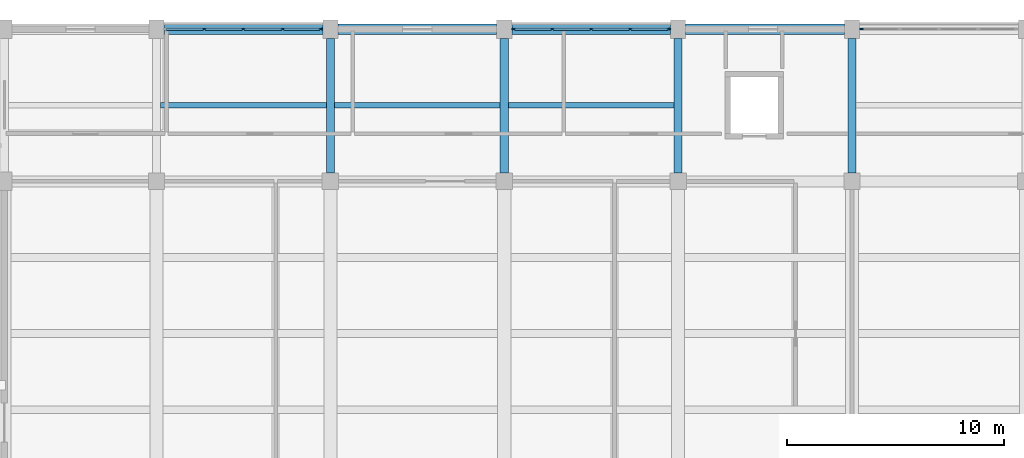
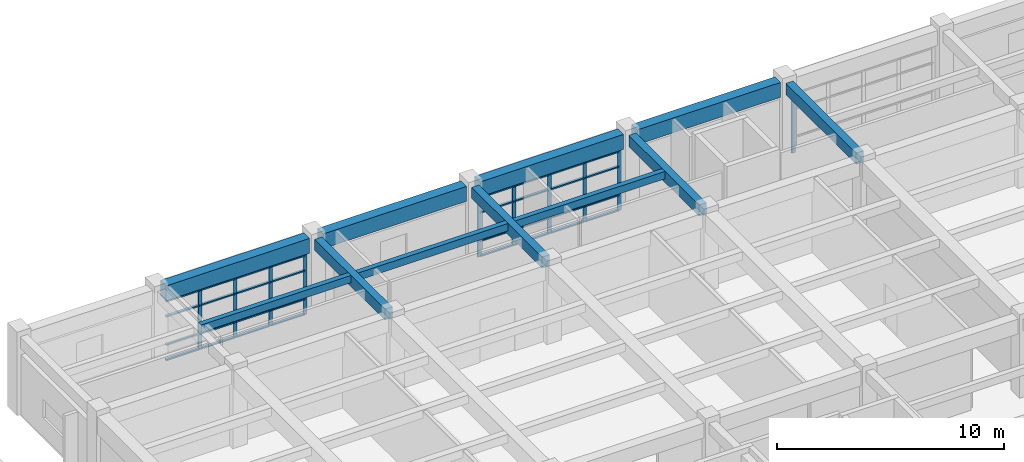
# One storey, part 31 of 72: 42 members, 11 beams, 3 elements without a shape of their own.
"""IFC4 building model written with IfcOpenShell, lengths in metres."""

from ifc_helpers import new_model, si_unit, direction, frame, origin, origin_2d, place, context, subcontext, project, spatial, rectangle, extrude, material, layer, layer_set, material_profile, profile_set, type_object, element, aggregate, save


model = new_model("IFC4")

# Units and contexts
model_context = context("Model", 3, precision=1e-05, world=origin(), true_north=direction((0.0, 1.0)))
body_context = subcontext(model_context, "Body", "Model", "MODEL_VIEW")
ifc_project = project(units=[si_unit("LENGTHUNIT", "METRE"), si_unit("AREAUNIT", "SQUARE_METRE"), si_unit("VOLUMEUNIT", "CUBIC_METRE"), si_unit("PLANEANGLEUNIT", "RADIAN"), si_unit("MASSUNIT", "GRAM", prefix="KILO")], contexts=[model_context])

# Site, building, storey
site_placement = place(None, origin())
site = spatial("IfcSite", under=ifc_project, at=site_placement, CompositionType="ELEMENT")
building_placement = place(site_placement, origin())
building = spatial("IfcBuilding", under=site, at=building_placement, Name="Naurynzar Civic Courthouse", CompositionType="ELEMENT")
storey_placement = place(building_placement, frame((0.0, 0.0, 9.89990234375)))
storey = spatial("IfcBuildingStorey", under=building, at=storey_placement, Name="L03", CompositionType="ELEMENT", Elevation=9.89990234375)

# Beams
ifc_material_1 = material(Name="Concrete C40/50", Category="concrete")
ifc_material_profile_1 = material_profile(ifc_material_1, rectangle(XDim=0.25, YDim=0.39990234375, at=origin_2d()), Name="RCB 250x400")
ifc_profile_set_1 = profile_set([ifc_material_profile_1], Name="Concrete C40/50")
beam_type_1 = type_object("IfcBeamType", Name="BM-JST-250x400", PredefinedType="JOIST", material=ifc_profile_set_1)
for number, where, z_axis, x_axis, name in (
    (1, (69.1875, 68.5, 4.0), (1.0, 0.0, 0.0), (0.0, 1.0, 0.0), "V2 secondary rib 649 L03"),
    (2, (77.1875, 68.5, 4.0), (1.0, 0.0, 0.0), (0.0, 1.0, 0.0), "V2 secondary rib 650 L03"),
    (3, (85.1875, 68.5, 4.0), (1.0, 0.0, 0.0), (0.0, 1.0, 0.0), "V2 secondary rib 651 L03"),
):
    element("IfcBeam", number, at=place(storey_placement, frame(where, z_axis=z_axis, x_axis=x_axis)), inside=storey, type_object=beam_type_1, Name=name, PredefinedType="JOIST", context=body_context, shape_type="SweptSolid", body=[
        extrude(rectangle(XDim=0.25, YDim=0.39990234375, at=origin_2d()), origin(), (0.0, 0.0, 1.0), 7.625),
    ])
ifc_material_2 = material(Name="Concrete C40/50", Category="concrete")
ifc_material_profile_2 = material_profile(ifc_material_2, rectangle(XDim=0.375, YDim=0.60009765625, at=origin_2d()), Name="RCB 375x600")
ifc_profile_set_2 = profile_set([ifc_material_profile_2], Name="Concrete C40/50")
beam_type_2 = type_object("IfcBeamType", Name="BM-RC-375x600", PredefinedType="BEAM", material=ifc_profile_set_2)
for number, where, z_axis, x_axis, name in (
    (4, (77.0, 65.375, 3.900146484375), (0.0, 1.0, 0.0), (-1.0, 0.0, 0.0), "V2 girder Y-601 L03"),
    (5, (85.0, 65.375, 3.900146484375), (0.0, 1.0, 0.0), (-1.0, 0.0, 0.0), "V2 girder Y-604 L03"),
    (6, (93.0, 65.375, 3.900146484375), (0.0, 1.0, 0.0), (-1.0, 0.0, 0.0), "V2 girder Y-607 L03"),
    (7, (101.0, 65.375, 3.900146484375), (0.0, 1.0, 0.0), (-1.0, 0.0, 0.0), "V2 girder Y-610 L03"),
):
    element("IfcBeam", number, at=place(storey_placement, frame(where, z_axis=z_axis, x_axis=x_axis)), inside=storey, type_object=beam_type_2, Name=name, PredefinedType="BEAM", context=body_context, shape_type="SweptSolid", body=[
        extrude(rectangle(XDim=0.375, YDim=0.60009765625, at=origin_2d()), origin(), (0.0, 0.0, 1.0), 6.199951171875),
    ])
ifc_material_3 = material(Name="Concrete C40/50", Category="concrete")
ifc_material_profile_3 = material_profile(ifc_material_3, rectangle(XDim=0.5, YDim=0.800048828125, at=origin_2d()), Name="RCB 500x800")
ifc_profile_set_3 = profile_set([ifc_material_profile_3], Name="Concrete C40/50")
beam_type_3 = type_object("IfcBeamType", Name="BM-RC-500x800", PredefinedType="BEAM", material=ifc_profile_set_3)
for number, where, z_axis, x_axis, name in (
    (8, (69.35009765625, 72.0, 3.800048828125), (1.0, 0.0, 0.0), (0.0, 1.0, 0.0), "V2 beam X-586 L03"),
    (9, (77.35009765625, 72.0, 3.800048828125), (1.0, 0.0, 0.0), (0.0, 1.0, 0.0), "V2 beam X-587 L03"),
    (10, (85.35009765625, 72.0, 3.800048828125), (1.0, 0.0, 0.0), (0.0, 1.0, 0.0), "V2 beam X-588 L03"),
    (11, (93.35009765625, 72.0, 3.800048828125), (1.0, 0.0, 0.0), (0.0, 1.0, 0.0), "V2 beam X-589 L03"),
):
    element("IfcBeam", number, at=place(storey_placement, frame(where, z_axis=z_axis, x_axis=x_axis)), inside=storey, type_object=beam_type_3, Name=name, PredefinedType="BEAM", context=body_context, shape_type="SweptSolid", body=[
        extrude(rectangle(XDim=0.5, YDim=0.800048828125, at=origin_2d()), origin(), (0.0, 0.0, 1.0), 7.2998046875),
    ])

# Curtain wall, members
ifc_material_4 = material(Name="Aluminium 6063-T6", Category="aluminium")
ifc_layer = layer(ifc_material_4, 0.159912109375)
ifc_layer_set = layer_set([ifc_layer], Name="CW-UNIT-1800")
curtain_wall_type = type_object("IfcCurtainWallType", Name="CW-UNIT-1800", PredefinedType="NOTDEFINED", material=ifc_layer_set)
curtain_wall_1_placement = place(storey_placement, origin())
curtain_wall_1 = element("IfcCurtainWall", 12, at=curtain_wall_1_placement, inside=storey, type_object=curtain_wall_type, Name="V2 unitised curtain wall 24 L03", PredefinedType="NOTDEFINED")
ifc_material_5 = material(Name="Aluminium 6063-T6", Category="aluminium")
ifc_material_profile_4 = material_profile(ifc_material_5, rectangle(XDim=0.070068359375, YDim=0.179931640625, at=origin_2d()), Name="ALU MULLION 70x180")
ifc_profile_set_4 = profile_set([ifc_material_profile_4], Name="Aluminium 6063-T6")
member_type_1 = type_object("IfcMemberType", Name="CWM-70x180", PredefinedType="MULLION", material=ifc_profile_set_4)
member_1_placement = place(storey_placement, frame((71.199951171875, 72.0, 0.0), z_axis=(0.0, 0.0, 1.0), x_axis=(0.0, 1.0, 0.0)))
member_1 = element("IfcMember", 13, at=member_1_placement, type_object=member_type_1, Name="CW-02 mullion 2", PredefinedType="MULLION", context=body_context, shape_type="SweptSolid", body=[
    extrude(rectangle(XDim=0.070068359375, YDim=0.179931640625, at=origin_2d()), origin(), (0.0, 0.0, 1.0), 3.22998046875),
])
member_2_placement = place(storey_placement, frame((73.0, 72.0, 0.0), z_axis=(0.0, 0.0, 1.0), x_axis=(0.0, 1.0, 0.0)))
member_2 = element("IfcMember", 14, at=member_2_placement, type_object=member_type_1, Name="CW-02 mullion 3", PredefinedType="MULLION", context=body_context, shape_type="SweptSolid", body=[
    extrude(rectangle(XDim=0.070068359375, YDim=0.179931640625, at=origin_2d()), origin(), (0.0, 0.0, 1.0), 3.22998046875),
])
member_3_placement = place(storey_placement, frame((74.800048828125, 72.0, 0.0), z_axis=(0.0, 0.0, 1.0), x_axis=(0.0, 1.0, 0.0)))
member_3 = element("IfcMember", 15, at=member_3_placement, type_object=member_type_1, Name="CW-02 mullion 4", PredefinedType="MULLION", context=body_context, shape_type="SweptSolid", body=[
    extrude(rectangle(XDim=0.070068359375, YDim=0.179931640625, at=origin_2d()), origin(), (0.0, 0.0, 1.0), 3.22998046875),
])
member_4_placement = place(storey_placement, frame((76.56494140625, 72.0, 0.0), z_axis=(0.0, 0.0, 1.0), x_axis=(0.0, 1.0, 0.0)))
member_4 = element("IfcMember", 16, at=member_4_placement, type_object=member_type_1, Name="CW-02 mullion 5", PredefinedType="MULLION", context=body_context, shape_type="SweptSolid", body=[
    extrude(rectangle(XDim=0.070068359375, YDim=0.179931640625, at=origin_2d()), origin(), (0.0, 0.0, 1.0), 3.22998046875),
])

curtain_wall_2_placement = place(storey_placement, origin())
curtain_wall_2 = element("IfcCurtainWall", 17, at=curtain_wall_2_placement, inside=storey, type_object=curtain_wall_type, Name="V2 unitised curtain wall 25 L03", PredefinedType="NOTDEFINED")
member_5_placement = place(storey_placement, frame((85.43505859375, 72.0, 0.0), z_axis=(0.0, 0.0, 1.0), x_axis=(0.0, 1.0, 0.0)))
member_5 = element("IfcMember", 18, at=member_5_placement, type_object=member_type_1, Name="CW-02 mullion 1", PredefinedType="MULLION", context=body_context, shape_type="SweptSolid", body=[
    extrude(rectangle(XDim=0.070068359375, YDim=0.179931640625, at=origin_2d()), origin(), (0.0, 0.0, 1.0), 3.22998046875),
])
member_6_placement = place(storey_placement, frame((87.199951171875, 72.0, 0.0), z_axis=(0.0, 0.0, 1.0), x_axis=(0.0, 1.0, 0.0)))
member_6 = element("IfcMember", 19, at=member_6_placement, type_object=member_type_1, Name="CW-02 mullion 2", PredefinedType="MULLION", context=body_context, shape_type="SweptSolid", body=[
    extrude(rectangle(XDim=0.070068359375, YDim=0.179931640625, at=origin_2d()), origin(), (0.0, 0.0, 1.0), 3.22998046875),
])
member_7_placement = place(storey_placement, frame((89.0, 72.0, 0.0), z_axis=(0.0, 0.0, 1.0), x_axis=(0.0, 1.0, 0.0)))
member_7 = element("IfcMember", 20, at=member_7_placement, type_object=member_type_1, Name="CW-02 mullion 3", PredefinedType="MULLION", context=body_context, shape_type="SweptSolid", body=[
    extrude(rectangle(XDim=0.070068359375, YDim=0.179931640625, at=origin_2d()), origin(), (0.0, 0.0, 1.0), 3.22998046875),
])
member_8_placement = place(storey_placement, frame((90.800048828125, 72.0, 0.0), z_axis=(0.0, 0.0, 1.0), x_axis=(0.0, 1.0, 0.0)))
member_8 = element("IfcMember", 21, at=member_8_placement, type_object=member_type_1, Name="CW-02 mullion 4", PredefinedType="MULLION", context=body_context, shape_type="SweptSolid", body=[
    extrude(rectangle(XDim=0.070068359375, YDim=0.179931640625, at=origin_2d()), origin(), (0.0, 0.0, 1.0), 3.22998046875),
])
member_9_placement = place(storey_placement, frame((92.56494140625, 72.0, 0.0), z_axis=(0.0, 0.0, 1.0), x_axis=(0.0, 1.0, 0.0)))
member_9 = element("IfcMember", 22, at=member_9_placement, type_object=member_type_1, Name="CW-02 mullion 5", PredefinedType="MULLION", context=body_context, shape_type="SweptSolid", body=[
    extrude(rectangle(XDim=0.070068359375, YDim=0.179931640625, at=origin_2d()), origin(), (0.0, 0.0, 1.0), 3.22998046875),
])

# Curtain wall, member
curtain_wall_3_placement = place(storey_placement, origin())
curtain_wall_3 = element("IfcCurtainWall", 23, at=curtain_wall_3_placement, inside=storey, type_object=curtain_wall_type, Name="V2 unitised curtain wall 26 L03", PredefinedType="NOTDEFINED")
member_10_placement = place(storey_placement, frame((101.43505859375, 72.0, 0.0), z_axis=(0.0, 0.0, 1.0), x_axis=(0.0, 1.0, 0.0)))
member_10 = element("IfcMember", 24, at=member_10_placement, type_object=member_type_1, Name="CW-02 mullion 1", PredefinedType="MULLION", context=body_context, shape_type="SweptSolid", body=[
    extrude(rectangle(XDim=0.070068359375, YDim=0.179931640625, at=origin_2d()), origin(), (0.0, 0.0, 1.0), 3.22998046875),
])
aggregate(curtain_wall_3, [member_10])

# Member
ifc_material_6 = material(Name="Aluminium 6063-T6", Category="aluminium")
ifc_material_profile_5 = material_profile(ifc_material_6, rectangle(XDim=0.1298828125, YDim=0.070068359375, at=origin_2d()), Name="ALU TRANSOM 70x130")
ifc_profile_set_5 = profile_set([ifc_material_profile_5], Name="Aluminium 6063-T6")
member_type_2 = type_object("IfcMemberType", Name="CWT-70x130", PredefinedType="USERDEFINED", material=ifc_profile_set_5)
member_11_placement = place(storey_placement, frame((69.469970703125, 72.0, 0.03515625), z_axis=(1.0, 0.0, 0.0), x_axis=(0.0, 1.0, 0.0)))
member_11 = element("IfcMember", 25, at=member_11_placement, type_object=member_type_2, Name="CW-02 transom 1.1", ObjectType="TRANSOM", PredefinedType="USERDEFINED", context=body_context, shape_type="SweptSolid", body=[
    extrude(rectangle(XDim=0.1298828125, YDim=0.070068359375, at=origin_2d()), origin(), (0.0, 0.0, 1.0), 1.695068359375),
])

member_12_placement = place(storey_placement, frame((69.469970703125, 72.0, 0.85009765625), z_axis=(1.0, 0.0, 0.0), x_axis=(0.0, 1.0, 0.0)))
member_12 = element("IfcMember", 26, at=member_12_placement, type_object=member_type_2, Name="CW-02 transom 1.2", ObjectType="TRANSOM", PredefinedType="USERDEFINED", context=body_context, shape_type="SweptSolid", body=[
    extrude(rectangle(XDim=0.1298828125, YDim=0.070068359375, at=origin_2d()), origin(), (0.0, 0.0, 1.0), 1.695068359375),
])

member_13_placement = place(storey_placement, frame((69.469970703125, 72.0, 2.380126953125), z_axis=(1.0, 0.0, 0.0), x_axis=(0.0, 1.0, 0.0)))
member_13 = element("IfcMember", 27, at=member_13_placement, type_object=member_type_2, Name="CW-02 transom 1.3", ObjectType="TRANSOM", PredefinedType="USERDEFINED", context=body_context, shape_type="SweptSolid", body=[
    extrude(rectangle(XDim=0.1298828125, YDim=0.070068359375, at=origin_2d()), origin(), (0.0, 0.0, 1.0), 1.695068359375),
])

member_14_placement = place(storey_placement, frame((69.469970703125, 72.0, 3.195068359375), z_axis=(1.0, 0.0, 0.0), x_axis=(0.0, 1.0, 0.0)))
member_14 = element("IfcMember", 28, at=member_14_placement, type_object=member_type_2, Name="CW-02 transom 1.4", ObjectType="TRANSOM", PredefinedType="USERDEFINED", context=body_context, shape_type="SweptSolid", body=[
    extrude(rectangle(XDim=0.1298828125, YDim=0.070068359375, at=origin_2d()), origin(), (0.0, 0.0, 1.0), 1.695068359375),
])

member_15_placement = place(storey_placement, frame((71.235107421875, 72.0, 0.03515625), z_axis=(1.0, 0.0, 0.0), x_axis=(0.0, 1.0, 0.0)))
member_15 = element("IfcMember", 29, at=member_15_placement, type_object=member_type_2, Name="CW-02 transom 2.1", ObjectType="TRANSOM", PredefinedType="USERDEFINED", context=body_context, shape_type="SweptSolid", body=[
    extrude(rectangle(XDim=0.1298828125, YDim=0.070068359375, at=origin_2d()), origin(), (0.0, 0.0, 1.0), 1.72998046875),
])

member_16_placement = place(storey_placement, frame((71.235107421875, 72.0, 0.85009765625), z_axis=(1.0, 0.0, 0.0), x_axis=(0.0, 1.0, 0.0)))
member_16 = element("IfcMember", 30, at=member_16_placement, type_object=member_type_2, Name="CW-02 transom 2.2", ObjectType="TRANSOM", PredefinedType="USERDEFINED", context=body_context, shape_type="SweptSolid", body=[
    extrude(rectangle(XDim=0.1298828125, YDim=0.070068359375, at=origin_2d()), origin(), (0.0, 0.0, 1.0), 1.72998046875),
])

member_17_placement = place(storey_placement, frame((71.235107421875, 72.0, 2.380126953125), z_axis=(1.0, 0.0, 0.0), x_axis=(0.0, 1.0, 0.0)))
member_17 = element("IfcMember", 31, at=member_17_placement, type_object=member_type_2, Name="CW-02 transom 2.3", ObjectType="TRANSOM", PredefinedType="USERDEFINED", context=body_context, shape_type="SweptSolid", body=[
    extrude(rectangle(XDim=0.1298828125, YDim=0.070068359375, at=origin_2d()), origin(), (0.0, 0.0, 1.0), 1.72998046875),
])

member_18_placement = place(storey_placement, frame((71.235107421875, 72.0, 3.195068359375), z_axis=(1.0, 0.0, 0.0), x_axis=(0.0, 1.0, 0.0)))
member_18 = element("IfcMember", 32, at=member_18_placement, type_object=member_type_2, Name="CW-02 transom 2.4", ObjectType="TRANSOM", PredefinedType="USERDEFINED", context=body_context, shape_type="SweptSolid", body=[
    extrude(rectangle(XDim=0.1298828125, YDim=0.070068359375, at=origin_2d()), origin(), (0.0, 0.0, 1.0), 1.72998046875),
])

member_19_placement = place(storey_placement, frame((73.034912109375, 72.0, 0.03515625), z_axis=(1.0, 0.0, 0.0), x_axis=(0.0, 1.0, 0.0)))
member_19 = element("IfcMember", 33, at=member_19_placement, type_object=member_type_2, Name="CW-02 transom 3.1", ObjectType="TRANSOM", PredefinedType="USERDEFINED", context=body_context, shape_type="SweptSolid", body=[
    extrude(rectangle(XDim=0.1298828125, YDim=0.070068359375, at=origin_2d()), origin(), (0.0, 0.0, 1.0), 1.72998046875),
])

member_20_placement = place(storey_placement, frame((73.034912109375, 72.0, 0.85009765625), z_axis=(1.0, 0.0, 0.0), x_axis=(0.0, 1.0, 0.0)))
member_20 = element("IfcMember", 34, at=member_20_placement, type_object=member_type_2, Name="CW-02 transom 3.2", ObjectType="TRANSOM", PredefinedType="USERDEFINED", context=body_context, shape_type="SweptSolid", body=[
    extrude(rectangle(XDim=0.1298828125, YDim=0.070068359375, at=origin_2d()), origin(), (0.0, 0.0, 1.0), 1.72998046875),
])

member_21_placement = place(storey_placement, frame((73.034912109375, 72.0, 2.380126953125), z_axis=(1.0, 0.0, 0.0), x_axis=(0.0, 1.0, 0.0)))
member_21 = element("IfcMember", 35, at=member_21_placement, type_object=member_type_2, Name="CW-02 transom 3.3", ObjectType="TRANSOM", PredefinedType="USERDEFINED", context=body_context, shape_type="SweptSolid", body=[
    extrude(rectangle(XDim=0.1298828125, YDim=0.070068359375, at=origin_2d()), origin(), (0.0, 0.0, 1.0), 1.72998046875),
])

member_22_placement = place(storey_placement, frame((73.034912109375, 72.0, 3.195068359375), z_axis=(1.0, 0.0, 0.0), x_axis=(0.0, 1.0, 0.0)))
member_22 = element("IfcMember", 36, at=member_22_placement, type_object=member_type_2, Name="CW-02 transom 3.4", ObjectType="TRANSOM", PredefinedType="USERDEFINED", context=body_context, shape_type="SweptSolid", body=[
    extrude(rectangle(XDim=0.1298828125, YDim=0.070068359375, at=origin_2d()), origin(), (0.0, 0.0, 1.0), 1.72998046875),
])

member_23_placement = place(storey_placement, frame((74.8349609375, 72.0, 0.03515625), z_axis=(1.0, 0.0, 0.0), x_axis=(0.0, 1.0, 0.0)))
member_23 = element("IfcMember", 37, at=member_23_placement, type_object=member_type_2, Name="CW-02 transom 4.1", ObjectType="TRANSOM", PredefinedType="USERDEFINED", context=body_context, shape_type="SweptSolid", body=[
    extrude(rectangle(XDim=0.1298828125, YDim=0.070068359375, at=origin_2d()), origin(), (0.0, 0.0, 1.0), 1.695068359375),
])

member_24_placement = place(storey_placement, frame((74.8349609375, 72.0, 0.85009765625), z_axis=(1.0, 0.0, 0.0), x_axis=(0.0, 1.0, 0.0)))
member_24 = element("IfcMember", 38, at=member_24_placement, type_object=member_type_2, Name="CW-02 transom 4.2", ObjectType="TRANSOM", PredefinedType="USERDEFINED", context=body_context, shape_type="SweptSolid", body=[
    extrude(rectangle(XDim=0.1298828125, YDim=0.070068359375, at=origin_2d()), origin(), (0.0, 0.0, 1.0), 1.695068359375),
])

member_25_placement = place(storey_placement, frame((74.8349609375, 72.0, 2.380126953125), z_axis=(1.0, 0.0, 0.0), x_axis=(0.0, 1.0, 0.0)))
member_25 = element("IfcMember", 39, at=member_25_placement, type_object=member_type_2, Name="CW-02 transom 4.3", ObjectType="TRANSOM", PredefinedType="USERDEFINED", context=body_context, shape_type="SweptSolid", body=[
    extrude(rectangle(XDim=0.1298828125, YDim=0.070068359375, at=origin_2d()), origin(), (0.0, 0.0, 1.0), 1.695068359375),
])

member_26_placement = place(storey_placement, frame((74.8349609375, 72.0, 3.195068359375), z_axis=(1.0, 0.0, 0.0), x_axis=(0.0, 1.0, 0.0)))
member_26 = element("IfcMember", 40, at=member_26_placement, type_object=member_type_2, Name="CW-02 transom 4.4", ObjectType="TRANSOM", PredefinedType="USERDEFINED", context=body_context, shape_type="SweptSolid", body=[
    extrude(rectangle(XDim=0.1298828125, YDim=0.070068359375, at=origin_2d()), origin(), (0.0, 0.0, 1.0), 1.695068359375),
])

aggregate(curtain_wall_1, [member_1, member_2, member_3, member_4, member_11, member_12, member_13, member_14, member_15, member_16, member_17, member_18, member_19, member_20, member_21, member_22, member_23, member_24, member_25, member_26])

member_27_placement = place(storey_placement, frame((85.469970703125, 72.0, 0.03515625), z_axis=(1.0, 0.0, 0.0), x_axis=(0.0, 1.0, 0.0)))
member_27 = element("IfcMember", 41, at=member_27_placement, type_object=member_type_2, Name="CW-02 transom 1.1", ObjectType="TRANSOM", PredefinedType="USERDEFINED", context=body_context, shape_type="SweptSolid", body=[
    extrude(rectangle(XDim=0.1298828125, YDim=0.070068359375, at=origin_2d()), origin(), (0.0, 0.0, 1.0), 1.695068359375),
])

member_28_placement = place(storey_placement, frame((85.469970703125, 72.0, 0.85009765625), z_axis=(1.0, 0.0, 0.0), x_axis=(0.0, 1.0, 0.0)))
member_28 = element("IfcMember", 42, at=member_28_placement, type_object=member_type_2, Name="CW-02 transom 1.2", ObjectType="TRANSOM", PredefinedType="USERDEFINED", context=body_context, shape_type="SweptSolid", body=[
    extrude(rectangle(XDim=0.1298828125, YDim=0.070068359375, at=origin_2d()), origin(), (0.0, 0.0, 1.0), 1.695068359375),
])

member_29_placement = place(storey_placement, frame((85.469970703125, 72.0, 2.380126953125), z_axis=(1.0, 0.0, 0.0), x_axis=(0.0, 1.0, 0.0)))
member_29 = element("IfcMember", 43, at=member_29_placement, type_object=member_type_2, Name="CW-02 transom 1.3", ObjectType="TRANSOM", PredefinedType="USERDEFINED", context=body_context, shape_type="SweptSolid", body=[
    extrude(rectangle(XDim=0.1298828125, YDim=0.070068359375, at=origin_2d()), origin(), (0.0, 0.0, 1.0), 1.695068359375),
])

member_30_placement = place(storey_placement, frame((85.469970703125, 72.0, 3.195068359375), z_axis=(1.0, 0.0, 0.0), x_axis=(0.0, 1.0, 0.0)))
member_30 = element("IfcMember", 44, at=member_30_placement, type_object=member_type_2, Name="CW-02 transom 1.4", ObjectType="TRANSOM", PredefinedType="USERDEFINED", context=body_context, shape_type="SweptSolid", body=[
    extrude(rectangle(XDim=0.1298828125, YDim=0.070068359375, at=origin_2d()), origin(), (0.0, 0.0, 1.0), 1.695068359375),
])

member_31_placement = place(storey_placement, frame((87.235107421875, 72.0, 0.03515625), z_axis=(1.0, 0.0, 0.0), x_axis=(0.0, 1.0, 0.0)))
member_31 = element("IfcMember", 45, at=member_31_placement, type_object=member_type_2, Name="CW-02 transom 2.1", ObjectType="TRANSOM", PredefinedType="USERDEFINED", context=body_context, shape_type="SweptSolid", body=[
    extrude(rectangle(XDim=0.1298828125, YDim=0.070068359375, at=origin_2d()), origin(), (0.0, 0.0, 1.0), 1.72998046875),
])

member_32_placement = place(storey_placement, frame((87.235107421875, 72.0, 0.85009765625), z_axis=(1.0, 0.0, 0.0), x_axis=(0.0, 1.0, 0.0)))
member_32 = element("IfcMember", 46, at=member_32_placement, type_object=member_type_2, Name="CW-02 transom 2.2", ObjectType="TRANSOM", PredefinedType="USERDEFINED", context=body_context, shape_type="SweptSolid", body=[
    extrude(rectangle(XDim=0.1298828125, YDim=0.070068359375, at=origin_2d()), origin(), (0.0, 0.0, 1.0), 1.72998046875),
])

member_33_placement = place(storey_placement, frame((87.235107421875, 72.0, 2.380126953125), z_axis=(1.0, 0.0, 0.0), x_axis=(0.0, 1.0, 0.0)))
member_33 = element("IfcMember", 47, at=member_33_placement, type_object=member_type_2, Name="CW-02 transom 2.3", ObjectType="TRANSOM", PredefinedType="USERDEFINED", context=body_context, shape_type="SweptSolid", body=[
    extrude(rectangle(XDim=0.1298828125, YDim=0.070068359375, at=origin_2d()), origin(), (0.0, 0.0, 1.0), 1.72998046875),
])

member_34_placement = place(storey_placement, frame((87.235107421875, 72.0, 3.195068359375), z_axis=(1.0, 0.0, 0.0), x_axis=(0.0, 1.0, 0.0)))
member_34 = element("IfcMember", 48, at=member_34_placement, type_object=member_type_2, Name="CW-02 transom 2.4", ObjectType="TRANSOM", PredefinedType="USERDEFINED", context=body_context, shape_type="SweptSolid", body=[
    extrude(rectangle(XDim=0.1298828125, YDim=0.070068359375, at=origin_2d()), origin(), (0.0, 0.0, 1.0), 1.72998046875),
])

member_35_placement = place(storey_placement, frame((89.034912109375, 72.0, 0.03515625), z_axis=(1.0, 0.0, 0.0), x_axis=(0.0, 1.0, 0.0)))
member_35 = element("IfcMember", 49, at=member_35_placement, type_object=member_type_2, Name="CW-02 transom 3.1", ObjectType="TRANSOM", PredefinedType="USERDEFINED", context=body_context, shape_type="SweptSolid", body=[
    extrude(rectangle(XDim=0.1298828125, YDim=0.070068359375, at=origin_2d()), origin(), (0.0, 0.0, 1.0), 1.72998046875),
])

member_36_placement = place(storey_placement, frame((89.034912109375, 72.0, 0.85009765625), z_axis=(1.0, 0.0, 0.0), x_axis=(0.0, 1.0, 0.0)))
member_36 = element("IfcMember", 50, at=member_36_placement, type_object=member_type_2, Name="CW-02 transom 3.2", ObjectType="TRANSOM", PredefinedType="USERDEFINED", context=body_context, shape_type="SweptSolid", body=[
    extrude(rectangle(XDim=0.1298828125, YDim=0.070068359375, at=origin_2d()), origin(), (0.0, 0.0, 1.0), 1.72998046875),
])

member_37_placement = place(storey_placement, frame((89.034912109375, 72.0, 2.380126953125), z_axis=(1.0, 0.0, 0.0), x_axis=(0.0, 1.0, 0.0)))
member_37 = element("IfcMember", 51, at=member_37_placement, type_object=member_type_2, Name="CW-02 transom 3.3", ObjectType="TRANSOM", PredefinedType="USERDEFINED", context=body_context, shape_type="SweptSolid", body=[
    extrude(rectangle(XDim=0.1298828125, YDim=0.070068359375, at=origin_2d()), origin(), (0.0, 0.0, 1.0), 1.72998046875),
])

member_38_placement = place(storey_placement, frame((89.034912109375, 72.0, 3.195068359375), z_axis=(1.0, 0.0, 0.0), x_axis=(0.0, 1.0, 0.0)))
member_38 = element("IfcMember", 52, at=member_38_placement, type_object=member_type_2, Name="CW-02 transom 3.4", ObjectType="TRANSOM", PredefinedType="USERDEFINED", context=body_context, shape_type="SweptSolid", body=[
    extrude(rectangle(XDim=0.1298828125, YDim=0.070068359375, at=origin_2d()), origin(), (0.0, 0.0, 1.0), 1.72998046875),
])

member_39_placement = place(storey_placement, frame((90.8349609375, 72.0, 0.03515625), z_axis=(1.0, 0.0, 0.0), x_axis=(0.0, 1.0, 0.0)))
member_39 = element("IfcMember", 53, at=member_39_placement, type_object=member_type_2, Name="CW-02 transom 4.1", ObjectType="TRANSOM", PredefinedType="USERDEFINED", context=body_context, shape_type="SweptSolid", body=[
    extrude(rectangle(XDim=0.1298828125, YDim=0.070068359375, at=origin_2d()), origin(), (0.0, 0.0, 1.0), 1.695068359375),
])

member_40_placement = place(storey_placement, frame((90.8349609375, 72.0, 0.85009765625), z_axis=(1.0, 0.0, 0.0), x_axis=(0.0, 1.0, 0.0)))
member_40 = element("IfcMember", 54, at=member_40_placement, type_object=member_type_2, Name="CW-02 transom 4.2", ObjectType="TRANSOM", PredefinedType="USERDEFINED", context=body_context, shape_type="SweptSolid", body=[
    extrude(rectangle(XDim=0.1298828125, YDim=0.070068359375, at=origin_2d()), origin(), (0.0, 0.0, 1.0), 1.695068359375),
])

member_41_placement = place(storey_placement, frame((90.8349609375, 72.0, 2.380126953125), z_axis=(1.0, 0.0, 0.0), x_axis=(0.0, 1.0, 0.0)))
member_41 = element("IfcMember", 55, at=member_41_placement, type_object=member_type_2, Name="CW-02 transom 4.3", ObjectType="TRANSOM", PredefinedType="USERDEFINED", context=body_context, shape_type="SweptSolid", body=[
    extrude(rectangle(XDim=0.1298828125, YDim=0.070068359375, at=origin_2d()), origin(), (0.0, 0.0, 1.0), 1.695068359375),
])

member_42_placement = place(storey_placement, frame((90.8349609375, 72.0, 3.195068359375), z_axis=(1.0, 0.0, 0.0), x_axis=(0.0, 1.0, 0.0)))
member_42 = element("IfcMember", 56, at=member_42_placement, type_object=member_type_2, Name="CW-02 transom 4.4", ObjectType="TRANSOM", PredefinedType="USERDEFINED", context=body_context, shape_type="SweptSolid", body=[
    extrude(rectangle(XDim=0.1298828125, YDim=0.070068359375, at=origin_2d()), origin(), (0.0, 0.0, 1.0), 1.695068359375),
])

aggregate(curtain_wall_2, [member_5, member_6, member_7, member_8, member_9, member_27, member_28, member_29, member_30, member_31, member_32, member_33, member_34, member_35, member_36, member_37, member_38, member_39, member_40, member_41, member_42])

save(model, "model.ifc")
